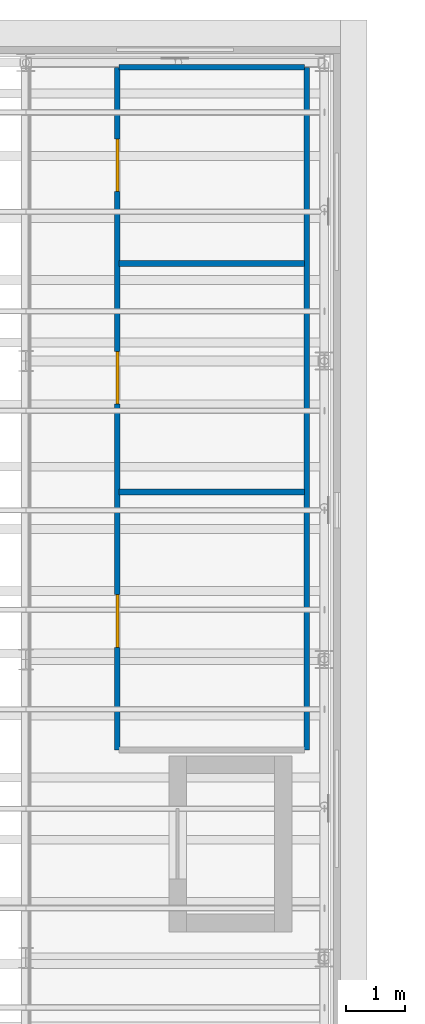
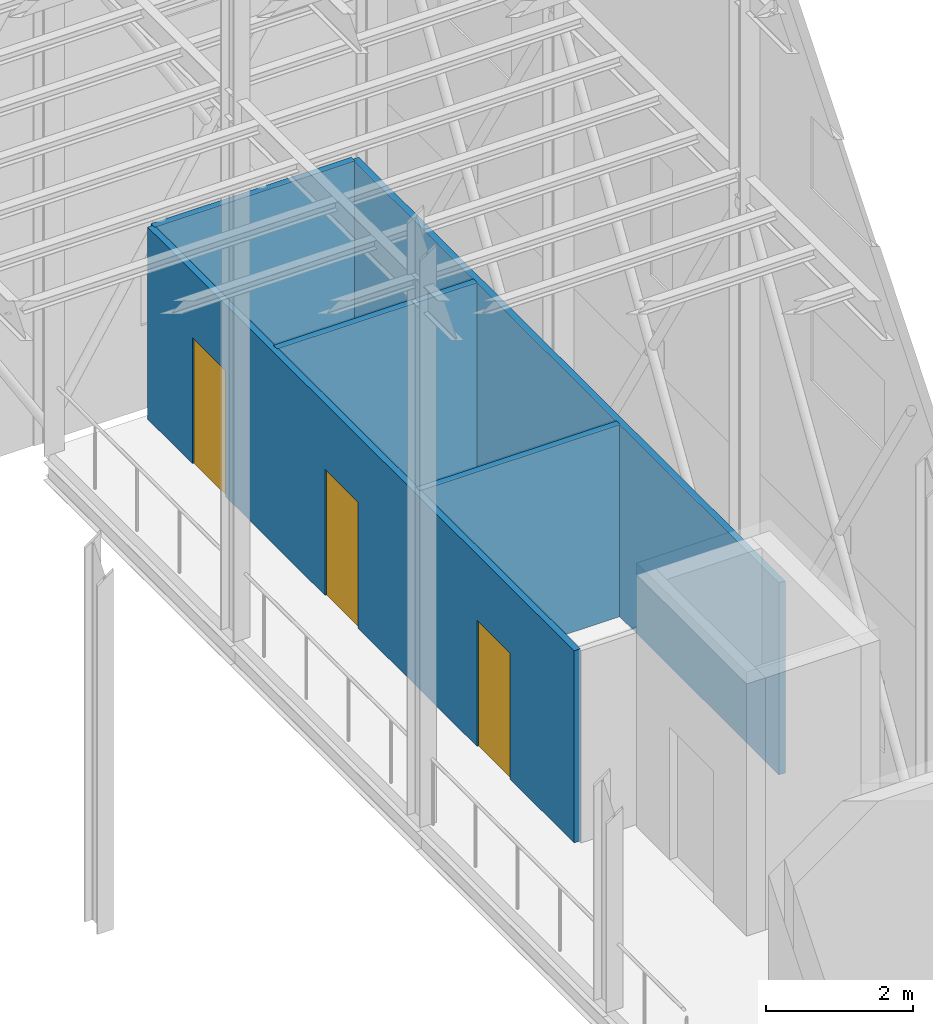
# One storey, part 21 of 22: 5 walls, 3 doors, 3 openings.
"""IFC4 building model written with IfcOpenShell, lengths in metres."""

from ifc_helpers import new_model, si_unit, direction, frame, frame_2d, origin, place, context, subcontext, project, spatial, rectangle, extrude, material, layer, layer_set, type_object, element, fill, save


model = new_model("IFC4")

# Units and contexts
model_context = context("Model", 3, precision=1e-05, world=origin(), true_north=direction((0.0, 1.0)))
body_context = subcontext(model_context, "Body", "Model", "MODEL_VIEW")
ifc_project = project(units=[si_unit("LENGTHUNIT", "METRE"), si_unit("AREAUNIT", "SQUARE_METRE"), si_unit("VOLUMEUNIT", "CUBIC_METRE"), si_unit("PLANEANGLEUNIT", "RADIAN"), si_unit("MASSUNIT", "GRAM", prefix="KILO")], contexts=[model_context])

# Site, building, storey
site_placement = place(None, origin())
site = spatial("IfcSite", under=ifc_project, at=site_placement, CompositionType="ELEMENT")
building_placement = place(site_placement, origin())
building = spatial("IfcBuilding", under=site, at=building_placement, Name="Tide Square Theatres", CompositionType="ELEMENT")
storey_placement = place(building_placement, frame((0.0, 0.0, 24.0)))
storey = spatial("IfcBuildingStorey", under=building, at=storey_placement, Name="L05", CompositionType="ELEMENT", Elevation=24.0)

# Wall
ifc_material_1 = material(Name="Gypsum board on steel studs", Category="steel")
ifc_layer = layer(ifc_material_1, 0.10009765625)
ifc_layer_set = layer_set([ifc_layer], Name="Gypsum board on steel studs")
wall_type = type_object("IfcWallType", Name="Partition 100 thick", PredefinedType="PARTITIONING", material=ifc_layer_set)
wall_1_placement = place(storey_placement, frame((96.424072265625, 70.0, 0.0), z_axis=(0.0, 0.0, 1.0), x_axis=(0.0, 1.0, 0.0)))
element("IfcWall", 1, at=wall_1_placement, inside=storey, type_object=wall_type, Name="Partition", PredefinedType="PARTITIONING", context=body_context, shape_type="SweptSolid", body=[
    extrude(rectangle(XDim=11.64404296875, YDim=0.10009765625, at=frame_2d((5.822021484375, 0.0))), origin(), (0.0, 0.0, 1.0), 3.199951171875),
])

# Wall, openings, doors
wall_2_placement = place(storey_placement, frame((93.194091796875, 70.0, 0.0), z_axis=(0.0, 0.0, 1.0), x_axis=(0.0, 1.0, 0.0)))
wall_2 = element("IfcWall", 2, at=wall_2_placement, inside=storey, type_object=wall_type, Name="Partition", PredefinedType="PARTITIONING", context=body_context, shape_type="SweptSolid", body=[
    extrude(rectangle(XDim=11.64404296875, YDim=0.10009765625, at=frame_2d((5.822021484375, 0.0))), origin(), (0.0, 0.0, 1.0), 3.199951171875),
])
opening_1_placement = place(wall_2_placement, frame((1.75, 0.0, 0.0)))
opening_1 = element("IfcOpeningElement", 3, at=opening_1_placement, cuts=wall_2, Name="Opening T05-06", PredefinedType="OPENING", context=body_context, shape_type="SweptSolid", body=[
    extrude(rectangle(XDim=0.89990234375, YDim=2.10009765625, at=frame_2d((0.449951171875, 1.050048828125))), frame((0.0, 0.06005859375, 0.0), z_axis=(0.0, -1.0, 0.0), x_axis=(1.0, 0.0, 0.0)), (0.0, 0.0, 1.0), 0.1201171875),
])
opening_2_placement = place(wall_2_placement, frame((5.89990234375, 0.0, 0.0)))
opening_2 = element("IfcOpeningElement", 4, at=opening_2_placement, cuts=wall_2, Name="Opening T05-07", PredefinedType="OPENING", context=body_context, shape_type="SweptSolid", body=[
    extrude(rectangle(XDim=0.89990234375, YDim=2.10009765625, at=frame_2d((0.449951171875, 1.050048828125))), frame((0.0, 0.06005859375, 0.0), z_axis=(0.0, -1.0, 0.0), x_axis=(1.0, 0.0, 0.0)), (0.0, 0.0, 1.0), 0.1201171875),
])
opening_3_placement = place(wall_2_placement, frame((9.52197265625, 0.0, 0.0)))
opening_3 = element("IfcOpeningElement", 5, at=opening_3_placement, cuts=wall_2, Name="Opening T05-08", PredefinedType="OPENING", context=body_context, shape_type="SweptSolid", body=[
    extrude(rectangle(XDim=0.89990234375, YDim=2.10009765625, at=frame_2d((0.449951171875, 1.050048828125))), frame((0.0, 0.06005859375, 0.0), z_axis=(0.0, -1.0, 0.0), x_axis=(1.0, 0.0, 0.0)), (0.0, 0.0, 1.0), 0.1201171875),
])
ifc_material_2 = material(Name="Hardwood timber", Category="wood")
door_type = type_object("IfcDoorType", Name="Door 900 x 2100 single leaf", OperationType="NOTDEFINED", PredefinedType="DOOR", material=ifc_material_2)
door_1_placement = place(opening_1_placement, frame((0.89990234375, 0.0, 0.0), z_axis=(0.0, 0.0, 1.0), x_axis=(-1.0, 0.0, 0.0)))
door_1 = element("IfcDoor", 6, at=door_1_placement, inside=storey, type_object=door_type, Name="Rigging Workshop door", OperationType="SINGLE_SWING_LEFT", OverallHeight=2.10009765625, OverallWidth=0.89990234375, PredefinedType="DOOR", context=body_context, shape_type="SweptSolid", body=[
    extrude(rectangle(XDim=0.89990234375, YDim=2.10009765625, at=frame_2d((0.449951171875, 1.050048828125))), frame((0.0, 0.02490234375, 0.0), z_axis=(0.0, -1.0, 0.0), x_axis=(1.0, 0.0, 0.0)), (0.0, 0.0, 1.0), 0.050048828125),
])
fill(opening_1, door_1)
door_2_placement = place(opening_2_placement, frame((0.89990234375, 0.0, 0.0), z_axis=(0.0, 0.0, 1.0), x_axis=(-1.0, 0.0, 0.0)))
door_2 = element("IfcDoor", 7, at=door_2_placement, inside=storey, type_object=door_type, Name="Counterweight Control Room door", OperationType="SINGLE_SWING_LEFT", OverallHeight=2.10009765625, OverallWidth=0.89990234375, PredefinedType="DOOR", context=body_context, shape_type="SweptSolid", body=[
    extrude(rectangle(XDim=0.89990234375, YDim=2.10009765625, at=frame_2d((0.449951171875, 1.050048828125))), frame((0.0, 0.02490234375, 0.0), z_axis=(0.0, -1.0, 0.0), x_axis=(1.0, 0.0, 0.0)), (0.0, 0.0, 1.0), 0.050048828125),
])
fill(opening_2, door_2)
door_3_placement = place(opening_3_placement, frame((0.89990234375, 0.0, 0.0), z_axis=(0.0, 0.0, 1.0), x_axis=(-1.0, 0.0, 0.0)))
door_3 = element("IfcDoor", 8, at=door_3_placement, inside=storey, type_object=door_type, Name="Safety Training Room door", OperationType="SINGLE_SWING_LEFT", OverallHeight=2.10009765625, OverallWidth=0.89990234375, PredefinedType="DOOR", context=body_context, shape_type="SweptSolid", body=[
    extrude(rectangle(XDim=0.89990234375, YDim=2.10009765625, at=frame_2d((0.449951171875, 1.050048828125))), frame((0.0, 0.02490234375, 0.0), z_axis=(0.0, -1.0, 0.0), x_axis=(1.0, 0.0, 0.0)), (0.0, 0.0, 1.0), 0.050048828125),
])
fill(opening_3, door_3)

# Walls
for number, where, z_axis, x_axis, name in (
    (9, (96.384033203125, 74.39990234375, 0.0), (0.0, 0.0, 1.0), (-1.0, 0.0, 0.0), "Partition"),
    (10, (96.384033203125, 78.300048828125, 0.0), (0.0, 0.0, 1.0), (-1.0, 0.0, 0.0), "Partition"),
    (11, (96.384033203125, 81.64404296875, 0.0), (0.0, 0.0, 1.0), (-1.0, 0.0, 0.0), "Partition"),
):
    element("IfcWall", number, at=place(storey_placement, frame(where, z_axis=z_axis, x_axis=x_axis)), inside=storey, type_object=wall_type, Name=name, PredefinedType="PARTITIONING", context=body_context, shape_type="SweptSolid", body=[
        extrude(rectangle(XDim=3.159912109375, YDim=0.10009765625, at=frame_2d((1.580078125, 0.0))), origin(), (0.0, 0.0, 1.0), 3.199951171875),
    ])

save(model, "model.ifc")
